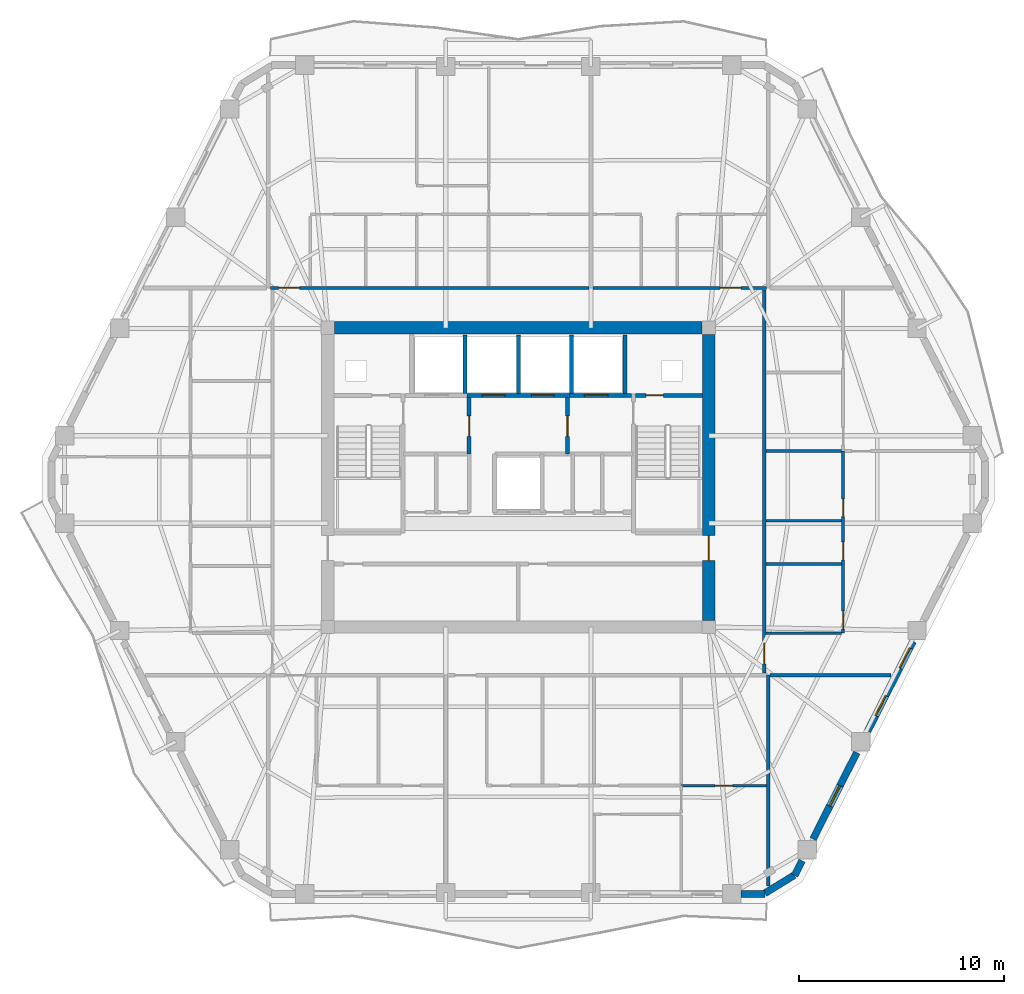
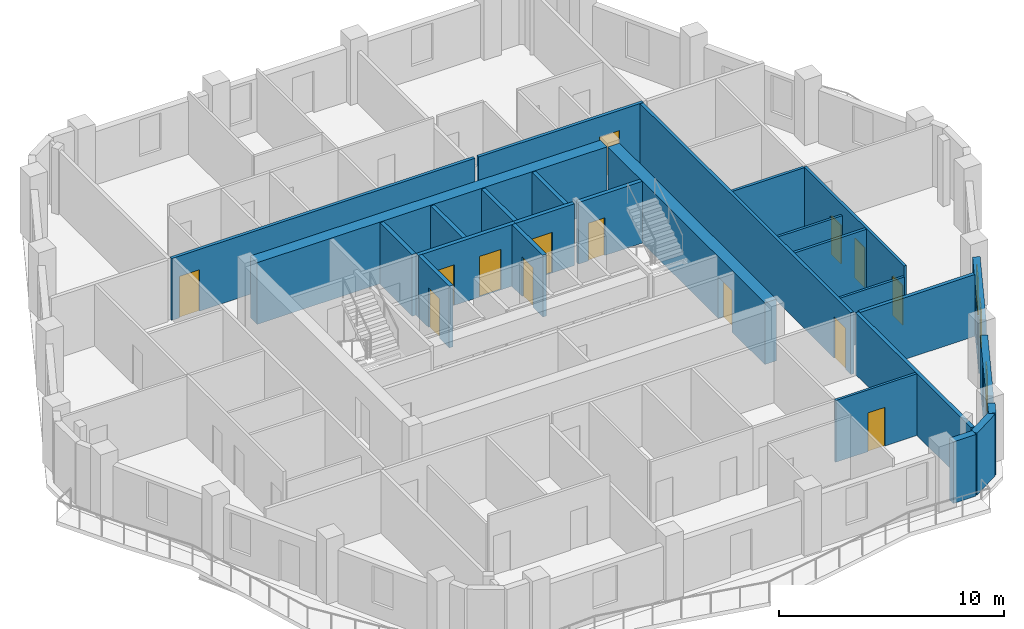
# One storey, part 6 of 11: 27 walls, 14 doors, 3 windows, 17 openings.
"""IFC4 building model written with IfcOpenShell, lengths in metres."""

from ifc_helpers import new_model, si_unit, direction, frame, frame_2d, origin, place, context, subcontext, project, spatial, rectangle, extrude, material, layer, layer_set, type_object, element, fill, save


model = new_model("IFC4")

# Units and contexts
model_context = context("Model", 3, precision=1e-05, world=origin(), true_north=direction((0.0, 1.0)))
body_context = subcontext(model_context, "Body", "Model", "MODEL_VIEW")
ifc_project = project(units=[si_unit("LENGTHUNIT", "METRE"), si_unit("AREAUNIT", "SQUARE_METRE"), si_unit("VOLUMEUNIT", "CUBIC_METRE"), si_unit("PLANEANGLEUNIT", "RADIAN"), si_unit("MASSUNIT", "GRAM", prefix="KILO")], contexts=[model_context])

# Site, building, storey
site_placement = place(None, origin())
site = spatial("IfcSite", under=ifc_project, at=site_placement, CompositionType="ELEMENT")
building_placement = place(site_placement, origin())
building = spatial("IfcBuilding", under=site, at=building_placement, Name="Cinnabar Lancet Tower", CompositionType="ELEMENT")
storey_placement = place(building_placement, frame((0.0, 0.0, 179.0)))
storey = spatial("IfcBuildingStorey", under=building, at=storey_placement, Name="L47", CompositionType="ELEMENT", Elevation=179.0)

# Wall, opening, door
ifc_material_1 = material(Name="Acoustic twin-stud gypsum partition", Category="gypsum")
ifc_layer_1 = layer(ifc_material_1, 0.159912109375)
ifc_layer_set_1 = layer_set([ifc_layer_1], Name="Acoustic twin-stud gypsum partition")
wall_type_1 = type_object("IfcWallType", Name="ARC-WL-CORR-160", PredefinedType="PARTITIONING", material=ifc_layer_set_1)
wall_1_placement = place(storey_placement, frame((20.294921875, 35.14990234375, 0.0), z_axis=(0.0, 0.0, 1.0), x_axis=(1.0, 0.0, 0.0)))
wall_1 = element("IfcWall", 1, at=wall_1_placement, inside=storey, type_object=wall_type_1, Name="L47 Unit N01 Corridor Wall", PredefinedType="PARTITIONING", context=body_context, shape_type="SweptSolid", body=[
    extrude(rectangle(XDim=15.552978515625, YDim=0.159912109375, at=frame_2d((7.7763671875, 0.0))), origin(), (0.0, 0.0, 1.0), 3.35009765625),
])
opening_1_placement = place(wall_1_placement, frame((0.405029296875, 0.0, 0.0)))
opening_1 = element("IfcOpeningElement", 2, at=opening_1_placement, cuts=wall_1, Name="Opening UD-01", PredefinedType="OPENING", context=body_context, shape_type="SweptSolid", body=[
    extrude(rectangle(XDim=1.02001953125, YDim=2.25, at=frame_2d((0.510009765625, 1.125))), frame((0.0, 0.08984375, 0.0), z_axis=(0.0, -1.0, 0.0), x_axis=(1.0, 0.0, 0.0)), (0.0, 0.0, 1.0), 0.179931640625),
])
ifc_material_2 = material(Name="Solid timber fire-rated apartment entrance door", Category="wood")
door_type_1 = type_object("IfcDoorType", Name="ARC-DR-UNIT", OperationType="NOTDEFINED", PredefinedType="DOOR", material=ifc_material_2)
door_1_placement = place(opening_1_placement, origin())
door_1 = element("IfcDoor", 3, at=door_1_placement, inside=storey, type_object=door_type_1, Name="DR-L47-N01-ENT", OperationType="SINGLE_SWING_LEFT", OverallHeight=2.25, OverallWidth=1.02001953125, PredefinedType="DOOR", context=body_context, shape_type="SweptSolid", body=[
    extrude(rectangle(XDim=1.02001953125, YDim=2.25, at=frame_2d((0.510009765625, 1.125))), frame((0.0, 0.02490234375, 0.0), z_axis=(0.0, -1.0, 0.0), x_axis=(1.0, 0.0, 0.0)), (0.0, 0.0, 1.0), 0.050048828125),
])
fill(opening_1, door_1)

wall_2_placement = place(storey_placement, frame((36.0380859375, 35.14990234375, 0.0), z_axis=(0.0, 0.0, 1.0), x_axis=(1.0, 0.0, 0.0)))
wall_2 = element("IfcWall", 4, at=wall_2_placement, inside=storey, type_object=wall_type_1, Name="L47 Unit N02 Corridor Wall", PredefinedType="PARTITIONING", context=body_context, shape_type="SweptSolid", body=[
    extrude(rectangle(XDim=8.466796875, YDim=0.159912109375, at=frame_2d((4.2333984375, 0.0))), origin(), (0.0, 0.0, 1.0), 3.35009765625),
])
opening_2_placement = place(wall_2_placement, frame((6.2119140625, 0.0, 0.0)))
opening_2 = element("IfcOpeningElement", 5, at=opening_2_placement, cuts=wall_2, Name="Opening UD-01", PredefinedType="OPENING", context=body_context, shape_type="SweptSolid", body=[
    extrude(rectangle(XDim=1.02001953125, YDim=2.25, at=frame_2d((0.510009765625, 1.125))), frame((0.0, 0.08984375, 0.0), z_axis=(0.0, -1.0, 0.0), x_axis=(1.0, 0.0, 0.0)), (0.0, 0.0, 1.0), 0.179931640625),
])
door_2_placement = place(opening_2_placement, origin())
door_2 = element("IfcDoor", 6, at=door_2_placement, inside=storey, type_object=door_type_1, Name="DR-L47-N02-ENT", OperationType="SINGLE_SWING_RIGHT", OverallHeight=2.25, OverallWidth=1.02001953125, PredefinedType="DOOR", context=body_context, shape_type="SweptSolid", body=[
    extrude(rectangle(XDim=1.02001953125, YDim=2.25, at=frame_2d((0.510009765625, 1.125))), frame((0.0, 0.02490234375, 0.0), z_axis=(0.0, -1.0, 0.0), x_axis=(1.0, 0.0, 0.0)), (0.0, 0.0, 1.0), 0.050048828125),
])
fill(opening_2, door_2)

wall_3_placement = place(storey_placement, frame((44.39990234375, 16.344970703125, 0.0), z_axis=(0.0, 0.0, 1.0), x_axis=(0.0, 1.0, 0.0)))
wall_3 = element("IfcWall", 7, at=wall_3_placement, inside=storey, type_object=wall_type_1, Name="UW-L47-E01-COR", PredefinedType="PARTITIONING", context=body_context, shape_type="SweptSolid", body=[
    extrude(rectangle(XDim=18.7099609375, YDim=0.159912109375, at=frame_2d((9.35498046875, 0.0))), origin(), (0.0, 0.0, 1.0), 3.35009765625),
])
opening_3_placement = place(wall_3_placement, frame((0.449951171875, 0.0, 0.0)))
opening_3 = element("IfcOpeningElement", 8, at=opening_3_placement, cuts=wall_3, Name="Opening UD-01", PredefinedType="OPENING", context=body_context, shape_type="SweptSolid", body=[
    extrude(rectangle(XDim=1.02001953125, YDim=2.25, at=frame_2d((0.510009765625, 1.125))), frame((0.0, 0.08984375, 0.0), z_axis=(0.0, -1.0, 0.0), x_axis=(1.0, 0.0, 0.0)), (0.0, 0.0, 1.0), 0.179931640625),
])
door_3_placement = place(opening_3_placement, origin())
door_3 = element("IfcDoor", 9, at=door_3_placement, inside=storey, type_object=door_type_1, Name="DR-L47-E01-ENT", OperationType="SINGLE_SWING_LEFT", OverallHeight=2.25, OverallWidth=1.02001953125, PredefinedType="DOOR", context=body_context, shape_type="SweptSolid", body=[
    extrude(rectangle(XDim=1.02001953125, YDim=2.25, at=frame_2d((0.510009765625, 1.125))), frame((0.0, 0.02490234375, 0.0), z_axis=(0.0, -1.0, 0.0), x_axis=(1.0, 0.0, 0.0)), (0.0, 0.0, 1.0), 0.050048828125),
])
fill(opening_3, door_3)

# Walls
ifc_material_3 = material(Name="Fire-rated twin-frame acoustic drywall", Category="gypsum")
ifc_layer_2 = layer(ifc_material_3, 0.179931640625)
ifc_layer_set_2 = layer_set([ifc_layer_2], Name="Fire-rated twin-frame acoustic drywall")
wall_type_2 = type_object("IfcWallType", Name="ARC-WL-PARTY-180", PredefinedType="PARTITIONING", material=ifc_layer_set_2)
wall_4_placement = place(storey_placement, frame((44.60009765625, 5.968017578125, 0.0), z_axis=(0.0, 0.0, 1.0), x_axis=(0.0, 1.0, 0.0)))
element("IfcWall", 10, at=wall_4_placement, inside=storey, type_object=wall_type_2, Name="PW-L47-SPTY-446", PredefinedType="PARTITIONING", context=body_context, shape_type="SweptSolid", body=[
    extrude(rectangle(XDim=10.281982421875, YDim=0.179931640625, at=frame_2d((5.14111328125, 0.0))), origin(), (0.0, 0.0, 1.0), 3.35009765625),
])
wall_5_placement = place(storey_placement, frame((44.695068359375, 16.25, 0.0), z_axis=(0.0, 0.0, 1.0), x_axis=(1.0, 0.0, 0.0)))
element("IfcWall", 11, at=wall_5_placement, inside=storey, type_object=wall_type_2, Name="PW-L47-ESB", PredefinedType="PARTITIONING", context=body_context, shape_type="SweptSolid", body=[
    extrude(rectangle(XDim=5.89404296875, YDim=0.179931640625, at=frame_2d((2.947021484375, 0.0))), origin(), (0.0, 0.0, 1.0), 3.35009765625),
])

# Wall, openings, doors
ifc_material_4 = material(Name="Autoclaved aerated concrete blockwork", Category="masonry")
ifc_layer_3 = layer(ifc_material_4, 0.199951171875)
ifc_layer_set_3 = layer_set([ifc_layer_3], Name="Autoclaved aerated concrete blockwork")
wall_type_3 = type_object("IfcWallType", Name="ARC-WL-SHAFT-200", PredefinedType="PLUMBINGWALL", material=ifc_layer_set_3)
wall_6_placement = place(storey_placement, frame((29.89990234375, 29.89990234375, 0.0), z_axis=(0.0, 0.0, 1.0), x_axis=(1.0, 0.0, 0.0)))
wall_6 = element("IfcWall", 12, at=wall_6_placement, inside=storey, type_object=wall_type_3, Name="CW-PL78-L47", PredefinedType="PLUMBINGWALL", context=body_context, shape_type="SweptSolid", body=[
    extrude(rectangle(XDim=5.0, YDim=0.199951171875, at=frame_2d((2.5, 0.0))), origin(), (0.0, 0.0, 1.0), 3.35009765625),
])
opening_4_placement = place(wall_6_placement, frame((0.75, 0.0, 0.0)))
opening_4 = element("IfcOpeningElement", 13, at=opening_4_placement, cuts=wall_6, Name="Opening LD-01", PredefinedType="OPENING", context=body_context, shape_type="SweptSolid", body=[
    extrude(rectangle(XDim=1.10009765625, YDim=2.199951171875, at=frame_2d((0.550048828125, 1.10009765625))), frame((0.0, 0.10986328125, 0.0), z_axis=(0.0, -1.0, 0.0), x_axis=(1.0, 0.0, 0.0)), (0.0, 0.0, 1.0), 0.219970703125),
])
opening_5_placement = place(wall_6_placement, frame((3.14990234375, 0.0, 0.0)))
opening_5 = element("IfcOpeningElement", 14, at=opening_5_placement, cuts=wall_6, Name="Opening LD-01", PredefinedType="OPENING", context=body_context, shape_type="SweptSolid", body=[
    extrude(rectangle(XDim=1.10009765625, YDim=2.199951171875, at=frame_2d((0.550048828125, 1.10009765625))), frame((0.0, 0.10986328125, 0.0), z_axis=(0.0, -1.0, 0.0), x_axis=(1.0, 0.0, 0.0)), (0.0, 0.0, 1.0), 0.219970703125),
])
ifc_material_5 = material(Name="Brushed stainless steel sliding lift door", Category="steel")
door_type_2 = type_object("IfcDoorType", Name="ARC-DR-LD-PASS", OperationType="NOTDEFINED", PredefinedType="DOOR", material=ifc_material_5)
door_4_placement = place(opening_4_placement, origin())
door_4 = element("IfcDoor", 15, at=door_4_placement, inside=storey, type_object=door_type_2, Name="L47 Lift PL-7 Landing Door", OperationType="DOUBLE_DOOR_SLIDING", OverallHeight=2.199951171875, OverallWidth=1.10009765625, PredefinedType="DOOR", context=body_context, shape_type="SweptSolid", body=[
    extrude(rectangle(XDim=1.10009765625, YDim=2.199951171875, at=frame_2d((0.550048828125, 1.10009765625))), frame((0.0, 0.02490234375, 0.0), z_axis=(0.0, -1.0, 0.0), x_axis=(1.0, 0.0, 0.0)), (0.0, 0.0, 1.0), 0.050048828125),
])
fill(opening_4, door_4)
door_5_placement = place(opening_5_placement, origin())
door_5 = element("IfcDoor", 16, at=door_5_placement, inside=storey, type_object=door_type_2, Name="L47 Lift PL-8 Landing Door", OperationType="DOUBLE_DOOR_SLIDING", OverallHeight=2.199951171875, OverallWidth=1.10009765625, PredefinedType="DOOR", context=body_context, shape_type="SweptSolid", body=[
    extrude(rectangle(XDim=1.10009765625, YDim=2.199951171875, at=frame_2d((0.550048828125, 1.10009765625))), frame((0.0, 0.02490234375, 0.0), z_axis=(0.0, -1.0, 0.0), x_axis=(1.0, 0.0, 0.0)), (0.0, 0.0, 1.0), 0.050048828125),
])
fill(opening_5, door_5)

# Wall, opening, door
wall_7_placement = place(storey_placement, frame((34.89990234375, 29.89990234375, 0.0), z_axis=(0.0, 0.0, 1.0), x_axis=(1.0, 0.0, 0.0)))
wall_7 = element("IfcWall", 17, at=wall_7_placement, inside=storey, type_object=wall_type_3, Name="CW-FL2-L47", PredefinedType="PLUMBINGWALL", context=body_context, shape_type="SweptSolid", body=[
    extrude(rectangle(XDim=3.01513671875, YDim=0.199951171875, at=frame_2d((1.507568359375, 0.0))), origin(), (0.0, 0.0, 1.0), 3.35009765625),
])
opening_6_placement = place(wall_7_placement, frame((0.72509765625, 0.0, 0.0)))
opening_6 = element("IfcOpeningElement", 18, at=opening_6_placement, cuts=wall_7, Name="Opening LD-02", PredefinedType="OPENING", context=body_context, shape_type="SweptSolid", body=[
    extrude(rectangle(XDim=1.14990234375, YDim=2.199951171875, at=frame_2d((0.574951171875, 1.10009765625))), frame((0.0, 0.10986328125, 0.0), z_axis=(0.0, -1.0, 0.0), x_axis=(1.0, 0.0, 0.0)), (0.0, 0.0, 1.0), 0.219970703125),
])
ifc_material_6 = material(Name="Fire-rated stainless steel firefighting lift landing door", Category="steel")
door_type_3 = type_object("IfcDoorType", Name="ARC-DR-LD-FIRE", OperationType="NOTDEFINED", PredefinedType="DOOR", material=ifc_material_6)
door_6_placement = place(opening_6_placement, origin())
door_6 = element("IfcDoor", 19, at=door_6_placement, inside=storey, type_object=door_type_3, Name="L47 Firefighting Lift FL-2 Landing Door", OperationType="DOUBLE_DOOR_SLIDING", OverallHeight=2.199951171875, OverallWidth=1.14990234375, PredefinedType="DOOR", context=body_context, shape_type="SweptSolid", body=[
    extrude(rectangle(XDim=1.14990234375, YDim=2.199951171875, at=frame_2d((0.574951171875, 1.10009765625))), frame((0.0, 0.02490234375, 0.0), z_axis=(0.0, -1.0, 0.0), x_axis=(1.0, 0.0, 0.0)), (0.0, 0.0, 1.0), 0.050048828125),
])
fill(opening_6, door_6)

wall_8_placement = place(storey_placement, frame((38.125, 29.89990234375, 0.0), z_axis=(0.0, 0.0, 1.0), x_axis=(1.0, 0.0, 0.0)))
wall_8 = element("IfcWall", 20, at=wall_8_placement, inside=storey, type_object=wall_type_3, Name="CW-NSH-E-L47", PredefinedType="PLUMBINGWALL", context=body_context, shape_type="SweptSolid", body=[
    extrude(rectangle(XDim=3.27001953125, YDim=0.199951171875, at=frame_2d((1.635009765625, 0.0))), origin(), (0.0, 0.0, 1.0), 3.35009765625),
])
opening_7_placement = place(wall_8_placement, frame((0.5, 0.0, 0.0)))
opening_7 = element("IfcOpeningElement", 21, at=opening_7_placement, cuts=wall_8, Name="Opening PD-02", PredefinedType="OPENING", context=body_context, shape_type="SweptSolid", body=[
    extrude(rectangle(XDim=0.85009765625, YDim=2.050048828125, at=frame_2d((0.425048828125, 1.02490234375))), frame((0.0, 0.10986328125, 0.0), z_axis=(0.0, -1.0, 0.0), x_axis=(1.0, 0.0, 0.0)), (0.0, 0.0, 1.0), 0.219970703125),
])
ifc_material_7 = material(Name="Fire-rated steel riser access door", Category="steel")
door_type_4 = type_object("IfcDoorType", Name="ARC-DR-RISER", OperationType="NOTDEFINED", PredefinedType="DOOR", material=ifc_material_7)
door_7_placement = place(opening_7_placement, origin())
door_7 = element("IfcDoor", 22, at=door_7_placement, inside=storey, type_object=door_type_4, Name="L47 East Riser Access Door", OperationType="SINGLE_SWING_RIGHT", OverallHeight=2.050048828125, OverallWidth=0.85009765625, PredefinedType="DOOR", context=body_context, shape_type="SweptSolid", body=[
    extrude(rectangle(XDim=0.85009765625, YDim=2.050048828125, at=frame_2d((0.425048828125, 1.02490234375))), frame((0.0, 0.02490234375, 0.0), z_axis=(0.0, -1.0, 0.0), x_axis=(1.0, 0.0, 0.0)), (0.0, 0.0, 1.0), 0.050048828125),
])
fill(opening_7, door_7)

# Walls
for number, where, z_axis, x_axis, name in (
    (23, (29.800048828125, 30.0, 0.0), (0.0, 0.0, 1.0), (0.0, 1.0, 0.0), "CW-NSH-D2-L47"),
    (24, (32.39990234375, 30.0, 0.0), (0.0, 0.0, 1.0), (0.0, 1.0, 0.0), "CW-NSH-D3-L47"),
    (25, (35.0, 30.0, 0.0), (0.0, 0.0, 1.0), (0.0, 1.0, 0.0), "CW-NSH-D4-L47"),
    (26, (37.60009765625, 30.0, 0.0), (0.0, 0.0, 1.0), (0.0, 1.0, 0.0), "CW-NSH-D5-L47"),
):
    element("IfcWall", number, at=place(storey_placement, frame(where, z_axis=z_axis, x_axis=x_axis)), inside=storey, type_object=wall_type_3, Name=name, PredefinedType="PLUMBINGWALL", context=body_context, shape_type="SweptSolid", body=[
        extrude(rectangle(XDim=2.85009765625, YDim=0.199951171875, at=frame_2d((1.425048828125, 0.0))), origin(), (0.0, 0.0, 1.0), 3.35009765625),
    ])

# Wall, opening, door
wall_9_placement = place(storey_placement, frame((30.0, 27.050048828125, 0.0), z_axis=(0.0, 0.0, 1.0), x_axis=(0.0, 1.0, 0.0)))
wall_9 = element("IfcWall", 27, at=wall_9_placement, inside=storey, type_object=wall_type_3, Name="CW-FF1E-L47", PredefinedType="PLUMBINGWALL", context=body_context, shape_type="SweptSolid", body=[
    extrude(rectangle(XDim=2.75, YDim=0.199951171875, at=frame_2d((1.375, 0.0))), origin(), (0.0, 0.0, 1.0), 3.35009765625),
])
opening_8_placement = place(wall_9_placement, frame((0.85009765625, 0.0, 0.0)))
opening_8 = element("IfcOpeningElement", 28, at=opening_8_placement, cuts=wall_9, Name="Opening FD-01", PredefinedType="OPENING", context=body_context, shape_type="SweptSolid", body=[
    extrude(rectangle(XDim=1.0, YDim=2.14990234375, at=frame_2d((0.5, 1.074951171875))), frame((0.0, 0.10986328125, 0.0), z_axis=(0.0, -1.0, 0.0), x_axis=(1.0, 0.0, 0.0)), (0.0, 0.0, 1.0), 0.219970703125),
])
ifc_material_8 = material(Name="Fire-rated timber-core lobby door", Category="wood")
door_type_5 = type_object("IfcDoorType", Name="ARC-DR-FFAL", OperationType="NOTDEFINED", PredefinedType="DOOR", material=ifc_material_8)
door_8_placement = place(opening_8_placement, origin())
door_8 = element("IfcDoor", 29, at=door_8_placement, inside=storey, type_object=door_type_5, Name="L47 FFAL-1 Lobby Fire Door", OperationType="SINGLE_SWING_RIGHT", OverallHeight=2.14990234375, OverallWidth=1.0, PredefinedType="DOOR", context=body_context, shape_type="SweptSolid", body=[
    extrude(rectangle(XDim=1.0, YDim=2.14990234375, at=frame_2d((0.5, 1.074951171875))), frame((0.0, 0.02490234375, 0.0), z_axis=(0.0, -1.0, 0.0), x_axis=(1.0, 0.0, 0.0)), (0.0, 0.0, 1.0), 0.050048828125),
])
fill(opening_8, door_8)

wall_10_placement = place(storey_placement, frame((34.800048828125, 27.050048828125, 0.0), z_axis=(0.0, 0.0, 1.0), x_axis=(0.0, 1.0, 0.0)))
wall_10 = element("IfcWall", 30, at=wall_10_placement, inside=storey, type_object=wall_type_3, Name="CW-FF2W-L47", PredefinedType="PLUMBINGWALL", context=body_context, shape_type="SweptSolid", body=[
    extrude(rectangle(XDim=2.75, YDim=0.199951171875, at=frame_2d((1.375, 0.0))), origin(), (0.0, 0.0, 1.0), 3.35009765625),
])
opening_9_placement = place(wall_10_placement, frame((0.85009765625, 0.0, 0.0)))
opening_9 = element("IfcOpeningElement", 31, at=opening_9_placement, cuts=wall_10, Name="Opening FD-01", PredefinedType="OPENING", context=body_context, shape_type="SweptSolid", body=[
    extrude(rectangle(XDim=1.0, YDim=2.14990234375, at=frame_2d((0.5, 1.074951171875))), frame((0.0, 0.10986328125, 0.0), z_axis=(0.0, -1.0, 0.0), x_axis=(1.0, 0.0, 0.0)), (0.0, 0.0, 1.0), 0.219970703125),
])
door_9_placement = place(opening_9_placement, origin())
door_9 = element("IfcDoor", 32, at=door_9_placement, inside=storey, type_object=door_type_5, Name="L47 FFAL-2 Lobby Fire Door", OperationType="SINGLE_SWING_LEFT", OverallHeight=2.14990234375, OverallWidth=1.0, PredefinedType="DOOR", context=body_context, shape_type="SweptSolid", body=[
    extrude(rectangle(XDim=1.0, YDim=2.14990234375, at=frame_2d((0.5, 1.074951171875))), frame((0.0, 0.02490234375, 0.0), z_axis=(0.0, -1.0, 0.0), x_axis=(1.0, 0.0, 0.0)), (0.0, 0.0, 1.0), 0.050048828125),
])
fill(opening_9, door_9)

ifc_material_9 = material(Name="Gypsum plasterboard stud partition", Category="gypsum")
ifc_layer_4 = layer(ifc_material_9, 0.125)
ifc_layer_set_4 = layer_set([ifc_layer_4], Name="Gypsum plasterboard stud partition")
wall_type_4 = type_object("IfcWallType", Name="ARC-WL-UNIT-125", PredefinedType="PARTITIONING", material=ifc_layer_set_4)
wall_11_placement = place(storey_placement, frame((40.34912109375, 10.85595703125, 0.0), z_axis=(0.0, 0.0, 1.0), x_axis=(1.0, 0.0, 0.0)))
wall_11 = element("IfcWall", 33, at=wall_11_placement, inside=storey, type_object=wall_type_4, Name="UW-L47-S02-SP2", PredefinedType="PARTITIONING", context=body_context, shape_type="SweptSolid", body=[
    extrude(rectangle(XDim=4.15576171875, YDim=0.125, at=frame_2d((2.077880859375, 0.0))), origin(), (0.0, 0.0, 1.0), 3.35009765625),
])
opening_10_placement = place(wall_11_placement, frame((1.653076171875, 0.0, 0.0)))
opening_10 = element("IfcOpeningElement", 34, at=opening_10_placement, cuts=wall_11, Name="Opening BD-01", PredefinedType="OPENING", context=body_context, shape_type="SweptSolid", body=[
    extrude(rectangle(XDim=0.860107421875, YDim=2.10009765625, at=frame_2d((0.43017578125, 1.050048828125))), frame((0.0, 0.072509765625, 0.0), z_axis=(0.0, -1.0, 0.0), x_axis=(1.0, 0.0, 0.0)), (0.0, 0.0, 1.0), 0.14501953125),
])
ifc_material_10 = material(Name="Moisture-resistant timber bathroom door", Category="wood")
door_type_6 = type_object("IfcDoorType", Name="ARC-DR-BATH", OperationType="NOTDEFINED", PredefinedType="DOOR", material=ifc_material_10)
door_10_placement = place(opening_10_placement, origin())
door_10 = element("IfcDoor", 35, at=door_10_placement, inside=storey, type_object=door_type_6, Name="DR-L47-S02-ENS", OperationType="SINGLE_SWING_LEFT", OverallHeight=2.10009765625, OverallWidth=0.860107421875, PredefinedType="DOOR", context=body_context, shape_type="SweptSolid", body=[
    extrude(rectangle(XDim=0.860107421875, YDim=2.10009765625, at=frame_2d((0.43017578125, 1.050048828125))), frame((0.0, 0.02490234375, 0.0), z_axis=(0.0, -1.0, 0.0), x_axis=(1.0, 0.0, 0.0)), (0.0, 0.0, 1.0), 0.050048828125),
])
fill(opening_10, door_10)

# Walls
for number, where, z_axis, x_axis, name in (
    (36, (44.485107421875, 18.300048828125, 0.0), (0.0, 0.0, 1.0), (1.0, 0.0, 0.0), "UW-L47-E01-FOYN"),
    (37, (44.485107421875, 23.7890625, 0.0), (0.0, 0.0, 1.0), (1.0, 0.0, 0.0), "UW-L47-E01-UDV"),
):
    element("IfcWall", number, at=place(storey_placement, frame(where, z_axis=z_axis, x_axis=x_axis)), inside=storey, type_object=wall_type_4, Name=name, PredefinedType="PARTITIONING", context=body_context, shape_type="SweptSolid", body=[
        extrude(rectangle(XDim=3.679931640625, YDim=0.125, at=frame_2d((1.83984375, 0.0))), origin(), (0.0, 0.0, 1.0), 2.806884765625),
    ])

# Wall, openings, doors
ifc_material_11 = material(Name="Moisture-resistant cement-board plumbing wall", Category="masonry")
ifc_layer_5 = layer(ifc_material_11, 0.139892578125)
ifc_layer_set_5 = layer_set([ifc_layer_5], Name="Moisture-resistant cement-board plumbing wall")
wall_type_5 = type_object("IfcWallType", Name="ARC-WL-WET-140", PredefinedType="PLUMBINGWALL", material=ifc_layer_set_5)
wall_12_placement = place(storey_placement, frame((48.25, 18.300048828125, 0.0), z_axis=(0.0, 0.0, 1.0), x_axis=(0.0, 1.0, 0.0)))
wall_12 = element("IfcWall", 38, at=wall_12_placement, inside=storey, type_object=wall_type_5, Name="UW-L47-E01-SPL", PredefinedType="PLUMBINGWALL", context=body_context, shape_type="SweptSolid", body=[
    extrude(rectangle(XDim=8.888916015625, YDim=0.139892578125, at=frame_2d((4.4443359375, 0.0))), origin(), (0.0, 0.0, 1.0), 3.35009765625),
])
opening_11_placement = place(wall_12_placement, frame((0.199951171875, 0.0, 0.0)))
opening_11 = element("IfcOpeningElement", 39, at=opening_11_placement, cuts=wall_12, Name="Opening RD-02", PredefinedType="OPENING", context=body_context, shape_type="SweptSolid", body=[
    extrude(rectangle(XDim=0.8798828125, YDim=2.14990234375, at=frame_2d((0.43994140625, 1.074951171875))), frame((0.0, 0.079833984375, 0.0), z_axis=(0.0, -1.0, 0.0), x_axis=(1.0, 0.0, 0.0)), (0.0, 0.0, 1.0), 0.159912109375),
])
opening_12_placement = place(wall_12_placement, frame((3.577880859375, 0.0, 0.0)))
opening_12 = element("IfcOpeningElement", 40, at=opening_12_placement, cuts=wall_12, Name="Opening RD-02", PredefinedType="OPENING", context=body_context, shape_type="SweptSolid", body=[
    extrude(rectangle(XDim=0.8798828125, YDim=2.14990234375, at=frame_2d((0.43994140625, 1.074951171875))), frame((0.0, 0.079833984375, 0.0), z_axis=(0.0, -1.0, 0.0), x_axis=(1.0, 0.0, 0.0)), (0.0, 0.0, 1.0), 0.159912109375),
])
opening_13_placement = place(wall_12_placement, frame((5.68896484375, 0.0, 0.0)))
opening_13 = element("IfcOpeningElement", 41, at=opening_13_placement, cuts=wall_12, Name="Opening BD-01", PredefinedType="OPENING", context=body_context, shape_type="SweptSolid", body=[
    extrude(rectangle(XDim=0.860107421875, YDim=2.10009765625, at=frame_2d((0.43017578125, 1.050048828125))), frame((0.0, 0.079833984375, 0.0), z_axis=(0.0, -1.0, 0.0), x_axis=(1.0, 0.0, 0.0)), (0.0, 0.0, 1.0), 0.159912109375),
])
door_11_placement = place(opening_13_placement, origin())
door_11 = element("IfcDoor", 42, at=door_11_placement, inside=storey, type_object=door_type_6, Name="DR-L47-E01-BTH", OperationType="SINGLE_SWING_RIGHT", OverallHeight=2.10009765625, OverallWidth=0.860107421875, PredefinedType="DOOR", context=body_context, shape_type="SweptSolid", body=[
    extrude(rectangle(XDim=0.860107421875, YDim=2.10009765625, at=frame_2d((0.43017578125, 1.050048828125))), frame((0.0, 0.02490234375, 0.0), z_axis=(0.0, -1.0, 0.0), x_axis=(1.0, 0.0, 0.0)), (0.0, 0.0, 1.0), 0.050048828125),
])
fill(opening_13, door_11)
ifc_material_12 = material(Name="Engineered timber study door", Category="wood")
door_type_7 = type_object("IfcDoorType", Name="ARC-DR-STUDY", OperationType="NOTDEFINED", PredefinedType="DOOR", material=ifc_material_12)
door_12_placement = place(opening_11_placement, origin())
door_12 = element("IfcDoor", 43, at=door_12_placement, inside=storey, type_object=door_type_7, Name="DR-L47-E01-KIT", OperationType="SINGLE_SWING_RIGHT", OverallHeight=2.14990234375, OverallWidth=0.8798828125, PredefinedType="DOOR", context=body_context, shape_type="SweptSolid", body=[
    extrude(rectangle(XDim=0.8798828125, YDim=2.14990234375, at=frame_2d((0.43994140625, 1.074951171875))), frame((0.0, 0.02490234375, 0.0), z_axis=(0.0, -1.0, 0.0), x_axis=(1.0, 0.0, 0.0)), (0.0, 0.0, 1.0), 0.050048828125),
])
fill(opening_11, door_12)
door_13_placement = place(opening_12_placement, origin())
door_13 = element("IfcDoor", 44, at=door_13_placement, inside=storey, type_object=door_type_7, Name="DR-L47-E01-UTL", OperationType="SINGLE_SWING_LEFT", OverallHeight=2.14990234375, OverallWidth=0.8798828125, PredefinedType="DOOR", context=body_context, shape_type="SweptSolid", body=[
    extrude(rectangle(XDim=0.8798828125, YDim=2.14990234375, at=frame_2d((0.43994140625, 1.074951171875))), frame((0.0, 0.02490234375, 0.0), z_axis=(0.0, -1.0, 0.0), x_axis=(1.0, 0.0, 0.0)), (0.0, 0.0, 1.0), 0.050048828125),
])
fill(opening_12, door_13)

# Walls
for number, where, z_axis, x_axis, name in (
    (45, (44.485107421875, 27.18896484375, 0.0), (0.0, 0.0, 1.0), (1.0, 0.0, 0.0), "UW-L47-E01-ENSN"),
    (46, (44.485107421875, 21.677978515625, 0.0), (0.0, 0.0, 1.0), (1.0, 0.0, 0.0), "UW-L47-E01-KDV"),
):
    element("IfcWall", number, at=place(storey_placement, frame(where, z_axis=z_axis, x_axis=x_axis)), inside=storey, type_object=wall_type_5, Name=name, PredefinedType="PLUMBINGWALL", context=body_context, shape_type="SweptSolid", body=[
        extrude(rectangle(XDim=3.679931640625, YDim=0.139892578125, at=frame_2d((1.83984375, 0.0))), origin(), (0.0, 0.0, 1.0), 3.35009765625),
    ])
ifc_material_13 = material(Name="Cinnabar red clay brick", Category="masonry")
ifc_layer_6 = layer(ifc_material_13, 0.340087890625)
ifc_layer_set_6 = layer_set([ifc_layer_6], Name="Cinnabar red clay brick")
wall_type_6 = type_object("IfcWallType", Name="ENV-WL-BRK-RED-340", PredefinedType="STANDARD", material=ifc_layer_set_6)
wall_13_placement = place(storey_placement, frame((44.43310546875, 5.60498046875, 0.0), z_axis=(0.0, 0.0, 1.0), x_axis=(0.851778214877, 0.523902541185, 0.0)))
element("IfcWall", 47, at=wall_13_placement, inside=storey, type_object=wall_type_6, Name="L47 Chamfered Corner Brick Pier 2.1", PredefinedType="STANDARD", context=body_context, shape_type="SweptSolid", body=[
    extrude(rectangle(XDim=1.677734375, YDim=0.340087890625, at=frame_2d((0.8388671875, 0.0))), origin(), (0.0, 0.0, 1.0), 3.35009765625),
])
wall_14_placement = place(storey_placement, frame((43.27490234375, 5.580078125, 0.0), z_axis=(0.0, 0.0, 1.0), x_axis=(1.0, 0.0, 0.0)))
element("IfcWall", 48, at=wall_14_placement, inside=storey, type_object=wall_type_6, Name="L47 Face 1 Masonry Bay Wall 5", PredefinedType="STANDARD", context=body_context, shape_type="SweptSolid", body=[
    extrude(rectangle(XDim=1.1630859375, YDim=0.340087890625, at=frame_2d((0.58154296875, 0.0))), origin(), (0.0, 0.0, 1.0), 3.35009765625),
])
wall_15_placement = place(storey_placement, frame((45.882080078125, 6.468017578125, 0.0), z_axis=(0.0, 0.0, 1.0), x_axis=(0.451691568309, 0.892174157392, 0.0)))
element("IfcWall", 49, at=wall_15_placement, inside=storey, type_object=wall_type_6, Name="L47 Face 2 Masonry Bay Wall 1", PredefinedType="STANDARD", context=body_context, shape_type="SweptSolid", body=[
    extrude(rectangle(XDim=0.805908203125, YDim=0.340087890625, at=frame_2d((0.40283203125, 0.0))), origin(), (0.0, 0.0, 1.0), 3.35009765625),
])

# Wall, opening, window
wall_16_placement = place(storey_placement, frame((46.782958984375, 8.2490234375, 0.0), z_axis=(0.0, 0.0, 1.0), x_axis=(0.451522864045, 0.892259549259, 0.0)))
wall_16 = element("IfcWall", 50, at=wall_16_placement, inside=storey, type_object=wall_type_6, Name="L47 Face 2 Masonry Bay Wall 2", PredefinedType="STANDARD", context=body_context, shape_type="SweptSolid", body=[
    extrude(rectangle(XDim=4.730712890625, YDim=0.340087890625, at=frame_2d((2.365234375, 0.0))), origin(), (0.0, 0.0, 1.0), 2.883056640625),
])
opening_14_placement = place(wall_16_placement, frame((1.81494140625, 0.0, 0.75)))
opening_14 = element("IfcOpeningElement", 51, at=opening_14_placement, cuts=wall_16, Name="Opening WN-04", PredefinedType="OPENING", context=body_context, shape_type="SweptSolid", body=[
    extrude(rectangle(XDim=1.10009765625, YDim=1.98291015625, at=frame_2d((0.550048828125, 0.991455078125))), frame((0.0, 0.179931640625, 0.0), z_axis=(0.0, -1.0, 0.0), x_axis=(1.0, 0.0, 0.0)), (0.0, 0.0, 1.0), 0.360107421875),
])
ifc_material_14 = material(Name="Thermally broken bronze-anodized aluminium tall lancet window", Category="aluminium")
window_type = type_object("IfcWindowType", Name="ENV-WN-LANCET-1100", PartitioningType="SINGLE_PANEL", PredefinedType="WINDOW", material=ifc_material_14)
window_1_placement = place(opening_14_placement, origin())
window_1 = element("IfcWindow", 52, at=window_1_placement, inside=storey, type_object=window_type, Name="L47 Face 2 Gothic Lancet Window 2", OverallHeight=1.98291015625, OverallWidth=1.10009765625, PartitioningType="SINGLE_PANEL", PredefinedType="WINDOW", context=body_context, shape_type="SweptSolid", body=[
    extrude(rectangle(XDim=1.10009765625, YDim=1.98291015625, at=frame_2d((0.550048828125, 0.991455078125))), frame((0.0, 0.030029296875, 0.0), z_axis=(0.0, -1.0, 0.0), x_axis=(1.0, 0.0, 0.0)), (0.0, 0.0, 1.0), 0.06005859375),
])
fill(opening_14, window_1)

# Wall, openings, windows
wall_17_placement = place(storey_placement, frame((49.447998046875, 13.51708984375, 0.0), z_axis=(0.0, 0.0, 1.0), x_axis=(0.451544279509, 0.892248711763, 0.0)))
wall_17 = element("IfcWall", 53, at=wall_17_placement, inside=storey, type_object=wall_type_6, Name="L47 Face 2 Masonry Bay Wall 3", PredefinedType="STANDARD", context=body_context, shape_type="SweptSolid", body=[
    extrude(rectangle(XDim=4.909912109375, YDim=0.340087890625, at=frame_2d((2.455078125, 0.0))), origin(), (0.0, 0.0, 1.0), 2.883056640625),
])
opening_15_placement = place(wall_17_placement, frame((0.85107421875, 0.0, 0.75)))
opening_15 = element("IfcOpeningElement", 54, at=opening_15_placement, cuts=wall_17, Name="Opening WN-04", PredefinedType="OPENING", context=body_context, shape_type="SweptSolid", body=[
    extrude(rectangle(XDim=1.10009765625, YDim=1.98291015625, at=frame_2d((0.550048828125, 0.991455078125))), frame((0.0, 0.179931640625, 0.0), z_axis=(0.0, -1.0, 0.0), x_axis=(1.0, 0.0, 0.0)), (0.0, 0.0, 1.0), 0.360107421875),
])
opening_16_placement = place(wall_17_placement, frame((3.45703125, 0.0, 0.75)))
opening_16 = element("IfcOpeningElement", 55, at=opening_16_placement, cuts=wall_17, Name="Opening WN-04", PredefinedType="OPENING", context=body_context, shape_type="SweptSolid", body=[
    extrude(rectangle(XDim=1.10009765625, YDim=1.98291015625, at=frame_2d((0.550048828125, 0.991455078125))), frame((0.0, 0.179931640625, 0.0), z_axis=(0.0, -1.0, 0.0), x_axis=(1.0, 0.0, 0.0)), (0.0, 0.0, 1.0), 0.360107421875),
])
window_2_placement = place(opening_15_placement, origin())
window_2 = element("IfcWindow", 56, at=window_2_placement, inside=storey, type_object=window_type, Name="L47 Face 2 Gothic Lancet Window 3", OverallHeight=1.98291015625, OverallWidth=1.10009765625, PartitioningType="SINGLE_PANEL", PredefinedType="WINDOW", context=body_context, shape_type="SweptSolid", body=[
    extrude(rectangle(XDim=1.10009765625, YDim=1.98291015625, at=frame_2d((0.550048828125, 0.991455078125))), frame((0.0, 0.030029296875, 0.0), z_axis=(0.0, -1.0, 0.0), x_axis=(1.0, 0.0, 0.0)), (0.0, 0.0, 1.0), 0.06005859375),
])
fill(opening_15, window_2)
window_3_placement = place(opening_16_placement, origin())
window_3 = element("IfcWindow", 57, at=window_3_placement, inside=storey, type_object=window_type, Name="L47 Split-Bay Gothic Lancet Window 142", OverallHeight=1.98291015625, OverallWidth=1.10009765625, PartitioningType="SINGLE_PANEL", PredefinedType="WINDOW", context=body_context, shape_type="SweptSolid", body=[
    extrude(rectangle(XDim=1.10009765625, YDim=1.98291015625, at=frame_2d((0.550048828125, 0.991455078125))), frame((0.0, 0.030029296875, 0.0), z_axis=(0.0, -1.0, 0.0), x_axis=(1.0, 0.0, 0.0)), (0.0, 0.0, 1.0), 0.06005859375),
])
fill(opening_16, window_3)

# Wall
ifc_material_15 = material(Name="Concrete C60/75", Category="concrete")
ifc_layer_7 = layer(ifc_material_15, 0.60009765625)
ifc_layer_set_7 = layer_set([ifc_layer_7], Name="Concrete C60/75")
wall_type_7 = type_object("IfcWallType", Name="STR-WL-CORE-600", PredefinedType="SHEAR", material=ifc_layer_set_7)
wall_18_placement = place(storey_placement, frame((23.425048828125, 33.199951171875, 0.0), z_axis=(0.0, 0.0, 1.0), x_axis=(1.0, 0.0, 0.0)))
element("IfcWall", 58, at=wall_18_placement, inside=storey, type_object=wall_type_7, Name="L47 Core Shear Wall N", PredefinedType="SHEAR", context=body_context, shape_type="SweptSolid", body=[
    extrude(rectangle(XDim=17.949951171875, YDim=0.60009765625, at=frame_2d((8.97509765625, 0.0))), origin(), (0.0, 0.0, 1.0), 3.35009765625),
])

# Wall, opening, door
wall_19_placement = place(storey_placement, frame((41.699951171875, 18.925048828125, 0.0), z_axis=(0.0, 0.0, 1.0), x_axis=(0.0, 1.0, 0.0)))
wall_19 = element("IfcWall", 59, at=wall_19_placement, inside=storey, type_object=wall_type_7, Name="L47 Core Shear Wall E", PredefinedType="SHEAR", context=body_context, shape_type="SweptSolid", body=[
    extrude(rectangle(XDim=13.949951171875, YDim=0.60009765625, at=frame_2d((6.97509765625, 0.0))), origin(), (0.0, 0.0, 1.0), 3.35009765625),
])
opening_17_placement = place(wall_19_placement, frame((2.9150390625, 0.0, 0.0)))
opening_17 = element("IfcOpeningElement", 60, at=opening_17_placement, cuts=wall_19, Name="Opening FD-02", PredefinedType="OPENING", context=body_context, shape_type="SweptSolid", body=[
    extrude(rectangle(XDim=1.219970703125, YDim=2.25, at=frame_2d((0.60986328125, 1.125))), frame((0.0, 0.31005859375, 0.0), z_axis=(0.0, -1.0, 0.0), x_axis=(1.0, 0.0, 0.0)), (0.0, 0.0, 1.0), 0.6201171875),
])
ifc_material_16 = material(Name="Fire-rated double-vision core portal door", Category="wood")
door_type_8 = type_object("IfcDoorType", Name="ARC-DR-CPORT", OperationType="NOTDEFINED", PredefinedType="DOOR", material=ifc_material_16)
door_14_placement = place(opening_17_placement, origin())
door_14 = element("IfcDoor", 61, at=door_14_placement, inside=storey, type_object=door_type_8, Name="L47 East Core Lobby Fire Door", OperationType="SINGLE_SWING_LEFT", OverallHeight=2.25, OverallWidth=1.219970703125, PredefinedType="DOOR", context=body_context, shape_type="SweptSolid", body=[
    extrude(rectangle(XDim=1.219970703125, YDim=2.25, at=frame_2d((0.60986328125, 1.125))), frame((0.0, 0.02490234375, 0.0), z_axis=(0.0, -1.0, 0.0), x_axis=(1.0, 0.0, 0.0)), (0.0, 0.0, 1.0), 0.050048828125),
])
fill(opening_17, door_14)

save(model, "model.ifc")
